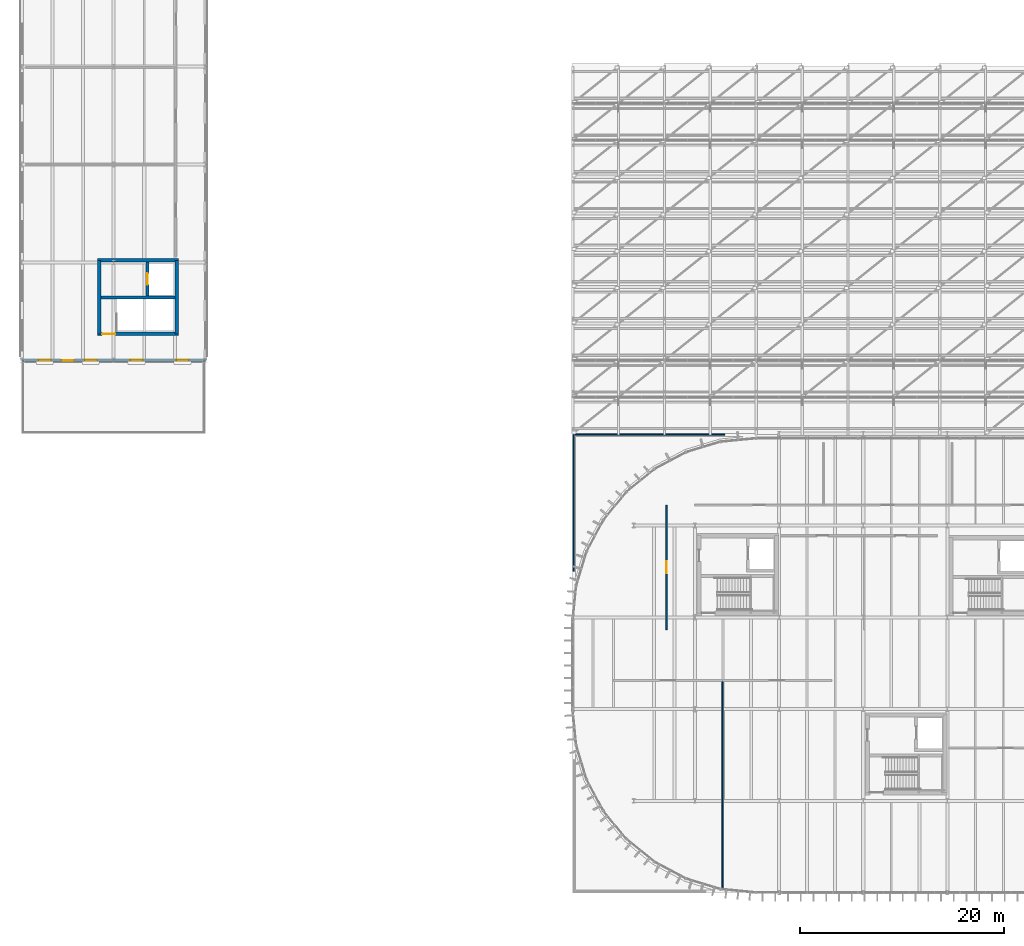
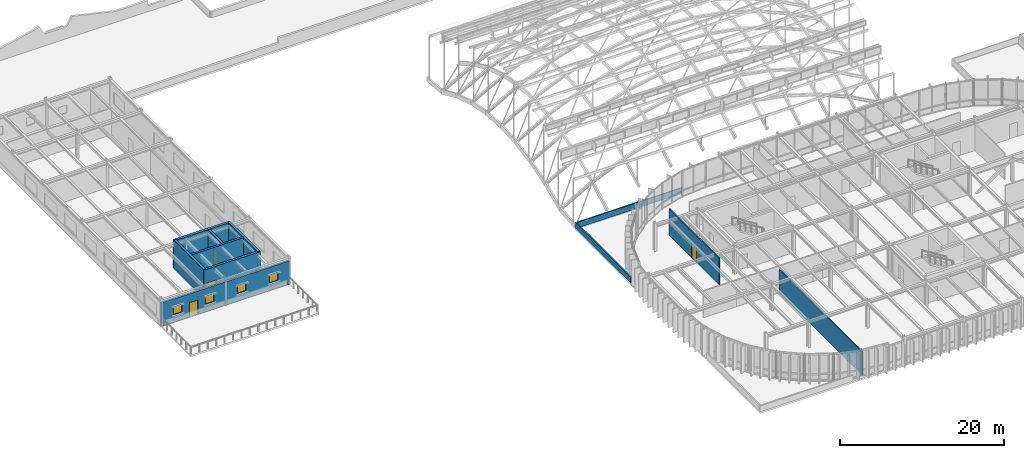
# One storey, part 52 of 69: 11 walls, 4 doors, 4 windows, 8 openings.
"""IFC4 building model written with IfcOpenShell, lengths in metres."""

import ifcopenshell
import ifcopenshell.guid

model = None  # the IFC model being written
_history = None  # IfcOwnerHistory: only IFC2X3 demands one
_inside = {}  # id of a spatial element -> (the spatial element, [elements in it])
_under = {}  # id of a project, library or spatial element -> (it, [spatial elements below it])
_declared = {}  # id of a project -> (the project, [libraries it declares])
_typed = {}  # id of a type object -> (the type object, [elements of that type])
_made_of = {}  # id of a material, layer set ... -> (it, [elements and type objects made of it])


def new_model(schema):
    """Start an empty IFC model of exactly this schema.

    Asked for "IFC4X3", IfcOpenShell would pick the latest addendum, in which some entities
    have other attributes; the version numbers below select the first issue.
    IFC2X3 requires an IfcOwnerHistory on every rooted entity: one is made here for all.
    """
    global model, _history
    if schema == "IFC4X3":
        model = ifcopenshell.file(schema_version=(4, 3, 0, 0))
    else:
        model = ifcopenshell.file(schema=schema)
    _inside.clear()
    _under.clear()
    _declared.clear()
    _typed.clear()
    _made_of.clear()
    _history = None
    if model.schema == "IFC2X3":
        org = make("IfcOrganization", Name="unknown")
        user = make(
            "IfcPersonAndOrganization",
            ThePerson=make("IfcPerson", FamilyName="unknown"),
            TheOrganization=org,
        )
        app = make(
            "IfcApplication",
            ApplicationDeveloper=org,
            Version="unknown",
            ApplicationFullName="unknown",
            ApplicationIdentifier="unknown",
        )
        _history = make(
            "IfcOwnerHistory",
            OwningUser=user,
            OwningApplication=app,
            ChangeAction="ADDED",
            CreationDate=0,
        )
    return model


def make(cls, **values):
    """One entity of the class cls with the attributes given. An attribute that is None is left unset."""
    return model.create_entity(
        cls, **{name: value for name, value in values.items() if value is not None}
    )


def rooted(cls, **values):
    """An entity with a GlobalId (a new one), such as an element, a storey or a relation."""
    return make(cls, GlobalId=ifcopenshell.guid.new(), OwnerHistory=_history, **values)


def si_unit(unit_type, name, prefix=None):
    """IfcSIUnit, for example si_unit("LENGTHUNIT", "METRE", prefix="MILLI")."""
    return make("IfcSIUnit", UnitType=unit_type, Prefix=prefix, Name=name)


def assignment(units):
    """IfcUnitAssignment: the units of a project."""
    return None if units is None else make("IfcUnitAssignment", Units=units)


def point(xyz):
    """IfcCartesianPoint."""
    return None if xyz is None else make("IfcCartesianPoint", Coordinates=xyz)


def direction(xyz):
    """IfcDirection."""
    return None if xyz is None else make("IfcDirection", DirectionRatios=xyz)


def frame(location, z_axis=None, x_axis=None):
    """IfcAxis2Placement3D, a coordinate frame: its origin and axes. An axis left out is left unset."""
    return make(
        "IfcAxis2Placement3D",
        Location=point(location),
        Axis=direction(z_axis),
        RefDirection=direction(x_axis),
    )


def frame_2d(location, x_axis=None):
    """IfcAxis2Placement2D, a coordinate frame in the plane: its origin and x axis."""
    return make(
        "IfcAxis2Placement2D", Location=point(location), RefDirection=direction(x_axis)
    )


def origin():
    """The frame at (0, 0, 0) with its axes left unset."""
    return frame((0.0, 0.0, 0.0))


def place(relative_to, where):
    """IfcLocalPlacement: puts the frame where relative to a parent placement (None: the world)."""
    return make(
        "IfcLocalPlacement", PlacementRelTo=relative_to, RelativePlacement=where
    )


def context(
    kind, dimensions, precision=None, world=None, true_north=None, identifier=None
):
    """IfcGeometricRepresentationContext, for example the 3D "Model" context."""
    return make(
        "IfcGeometricRepresentationContext",
        ContextIdentifier=identifier,
        ContextType=kind,
        CoordinateSpaceDimension=dimensions,
        Precision=precision,
        WorldCoordinateSystem=world,
        TrueNorth=true_north,
    )


def subcontext(parent, identifier, kind, view, scale=None):
    """IfcGeometricRepresentationSubContext, for example "Body" below "Model"."""
    return make(
        "IfcGeometricRepresentationSubContext",
        ContextIdentifier=identifier,
        ContextType=kind,
        ParentContext=parent,
        TargetScale=scale,
        TargetView=view,
    )


def project(units=None, contexts=None):
    """IfcProject with its units and contexts."""
    return rooted(
        "IfcProject",
        Name="project",
        RepresentationContexts=contexts,
        UnitsInContext=assignment(units),
    )


def spatial(cls, under=None, at=None, **own):
    """A site, building, storey or space (cls), placed at a placement, below another one or the project."""
    s = rooted(cls, ObjectPlacement=at, **own)
    if under is not None:
        _under.setdefault(under.id(), (under, []))[1].append(s)
    return s


def profile(cls, at=None, kind="AREA", **sizes):
    """A parametric profile (cls). Its sizes go by their IFC names, for example OverallWidth=200.0."""
    return make(cls, ProfileType=kind, Position=at, **sizes)


def rectangle(**sizes):
    """IfcRectangleProfileDef."""
    return profile("IfcRectangleProfileDef", **sizes)


def extrude(swept, where, along, depth):
    """IfcExtrudedAreaSolid: the profile swept, set in the frame where, extruded along a direction by depth."""
    return make(
        "IfcExtrudedAreaSolid",
        SweptArea=swept,
        Position=where,
        ExtrudedDirection=direction(along),
        Depth=depth,
    )


def shape(context_of_items, identifier, shape_type, items):
    """IfcShapeRepresentation: the items that make up one representation, for example the "Body"."""
    return make(
        "IfcShapeRepresentation",
        ContextOfItems=context_of_items,
        RepresentationIdentifier=identifier,
        RepresentationType=shape_type,
        Items=items,
    )


def material(Name=None, Category=None):
    """IfcMaterial."""
    return make("IfcMaterial", Name=Name, Category=Category)


def layer(
    of_material, thickness, ventilated=None, Name=None, Category=None, Priority=None
):
    """IfcMaterialLayer: one layer of a wall or slab, of a material (None: an air gap)."""
    return make(
        "IfcMaterialLayer",
        Material=of_material,
        LayerThickness=thickness,
        IsVentilated=ventilated,
        Name=Name,
        Category=Category,
        Priority=Priority,
    )


def layer_set(layers, Name=None):
    """IfcMaterialLayerSet."""
    return make("IfcMaterialLayerSet", MaterialLayers=layers, LayerSetName=Name)


def made_of(thing, what):
    """Note that an element or type object is made of a material, layer set ...; save() writes the relation."""
    if what is not None:
        _made_of.setdefault(what.id(), (what, []))[1].append(thing)
    return thing


def type_object(cls, material=None, **own):
    """A type object (cls), such as IfcWallType, which elements share."""
    return made_of(rooted(cls, **own), material)


def element(
    cls,
    number,
    at=None,
    inside=None,
    cuts=None,
    type_object=None,
    material=None,
    context=None,
    identifier="Body",
    shape_type=None,
    held_by="IfcProductDefinitionShape",
    body=None,
    shapes=None,
    **own,
):
    """One element of the class cls, such as IfcWall. Its Tag is "e" and its number.

    at: its placement. inside: the storey or other place that contains it. cuts: it is an
    opening in that element (IfcRelVoidsElement). A single representation is given by context,
    identifier, shape_type and body (its items); several are given by shapes. held_by: the class
    of the entity that holds the representations. save() writes the other relations.
    """
    e = rooted(cls, Tag="e%d" % number, ObjectPlacement=at, **own)
    if body is not None:
        shapes = [shape(context, identifier, shape_type, body)]
    if shapes is not None:
        e.Representation = make(held_by, Representations=shapes)
    if inside is not None:
        _inside.setdefault(inside.id(), (inside, []))[1].append(e)
    if cuts is not None:
        rooted(
            "IfcRelVoidsElement", RelatingBuildingElement=cuts, RelatedOpeningElement=e
        )
    if type_object is not None:
        _typed.setdefault(type_object.id(), (type_object, []))[1].append(e)
    return made_of(e, material)


def fill(opening, filler):
    """IfcRelFillsElement: the door or window that sits in an opening."""
    return rooted(
        "IfcRelFillsElement",
        RelatingOpeningElement=opening,
        RelatedBuildingElement=filler,
    )


def aggregate(whole, parts):
    """IfcRelAggregates: a whole, such as a stair, and the parts it consists of."""
    return rooted("IfcRelAggregates", RelatingObject=whole, RelatedObjects=parts)


def save(model, path):
    """Write the relations noted so far, then the file.

    IfcRelAggregates (storeys below a building ...), IfcRelContainedInSpatialStructure (elements
    in a storey), IfcRelDefinesByType, IfcRelAssociatesMaterial and IfcRelDeclares: one each for
    every whole, place, type object, material and project.
    """
    for whole, parts in _under.values():
        aggregate(whole, parts)
    for where, things in _inside.values():
        rooted(
            "IfcRelContainedInSpatialStructure",
            RelatedElements=things,
            RelatingStructure=where,
        )
    for kind, things in _typed.values():
        rooted("IfcRelDefinesByType", RelatedObjects=things, RelatingType=kind)
    for what, things in _made_of.values():
        rooted("IfcRelAssociatesMaterial", RelatedObjects=things, RelatingMaterial=what)
    for by, libraries in _declared.values():
        rooted("IfcRelDeclares", RelatingContext=by, RelatedDefinitions=libraries)
    model.write(path)


model = new_model("IFC4")

# Units and contexts
model_context = context("Model", 3, precision=1e-05, world=origin(), true_north=direction((0.0, 1.0)))
body_context = subcontext(model_context, "Body", "Model", "MODEL_VIEW")
ifc_project = project(units=[si_unit("LENGTHUNIT", "METRE"), si_unit("AREAUNIT", "SQUARE_METRE"), si_unit("VOLUMEUNIT", "CUBIC_METRE"), si_unit("PLANEANGLEUNIT", "RADIAN"), si_unit("MASSUNIT", "GRAM", prefix="KILO")], contexts=[model_context])

# Site, building, storey
site_placement = place(None, origin())
site = spatial("IfcSite", under=ifc_project, at=site_placement, CompositionType="ELEMENT")
building_placement = place(site_placement, origin())
building = spatial("IfcBuilding", under=site, at=building_placement, Name="Montealbar Specialist Clinic", CompositionType="ELEMENT")
storey_placement = place(building_placement, frame((0.0, 0.0, 9.60009765625)))
storey = spatial("IfcBuildingStorey", under=building, at=storey_placement, Name="L02", CompositionType="ELEMENT", Elevation=9.60009765625)

# Wall
ifc_material_1 = material(Name="Concrete C35/45", Category="concrete")
ifc_layer_1 = layer(ifc_material_1, 0.300048828125, Name="Concrete C35/45", Category="concrete")
ifc_layer_set_1 = layer_set([ifc_layer_1], Name="Concrete C35/45")
wall_type_1 = type_object("IfcWallType", Name="WL-CORE-300", PredefinedType="SHEAR", material=ifc_layer_set_1)
wall_1_placement = place(storey_placement, frame((7.77490234375, 58.35009765625, 0.0), z_axis=(0.0, 0.0, 1.0), x_axis=(1.0, 0.0, 0.0)))
element("IfcWall", 1, at=wall_1_placement, inside=storey, type_object=wall_type_1, Name="Core C1 Stairwell Wall L02", PredefinedType="SHEAR", context=body_context, shape_type="SweptSolid", body=[
    extrude(rectangle(XDim=7.25, YDim=0.300048828125, at=frame_2d((3.625, 0.0))), origin(), (0.0, 0.0, 1.0), 4.199951171875),
])

# Wall, opening, door
wall_2_placement = place(storey_placement, frame((12.300048828125, 58.5, 0.0), z_axis=(0.0, 0.0, 1.0), x_axis=(0.0, 1.0, 0.0)))
wall_2 = element("IfcWall", 2, at=wall_2_placement, inside=storey, type_object=wall_type_1, Name="Lift LF-01 Shaft Wall L02 LW", PredefinedType="SHEAR", context=body_context, shape_type="SweptSolid", body=[
    extrude(rectangle(XDim=3.324951171875, YDim=0.300048828125, at=frame_2d((1.66259765625, 0.0))), origin(), (0.0, 0.0, 1.0), 4.199951171875),
])
opening_1_placement = place(wall_2_placement, frame((1.113037109375, 0.0, 0.0)))
opening_1 = element("IfcOpeningElement", 3, at=opening_1_placement, cuts=wall_2, Name="Opening LD-11", PredefinedType="OPENING", context=body_context, shape_type="SweptSolid", body=[
    extrude(rectangle(XDim=1.10009765625, YDim=2.14990234375, at=frame_2d((0.550048828125, 1.074951171875))), frame((0.0, 0.159912109375, 0.0), z_axis=(0.0, -1.0, 0.0), x_axis=(1.0, 0.0, 0.0)), (0.0, 0.0, 1.0), 0.320068359375),
])
ifc_material_2 = material(Name="Steel S355", Category="steel")
door_type_1 = type_object("IfcDoorType", Name="DR-LIFT-LD1100", OperationType="DOUBLE_DOOR_SLIDING", PredefinedType="DOOR", material=ifc_material_2)
door_1_placement = place(opening_1_placement, origin())
door_1 = element("IfcDoor", 4, at=door_1_placement, inside=storey, type_object=door_type_1, Name="Lift LF-01 Sliding Landing Door L02", OperationType="DOUBLE_DOOR_SLIDING", OverallHeight=2.14990234375, OverallWidth=1.10009765625, PredefinedType="DOOR", context=body_context, shape_type="SweptSolid", body=[
    extrude(rectangle(XDim=1.10009765625, YDim=2.14990234375, at=frame_2d((0.550048828125, 1.074951171875))), frame((0.0, 0.02490234375, 0.0), z_axis=(0.0, -1.0, 0.0), x_axis=(1.0, 0.0, 0.0)), (0.0, 0.0, 1.0), 0.050048828125),
])
fill(opening_1, door_1)

ifc_layer_2 = layer(ifc_material_1, 0.35009765625, Name="Concrete C35/45", Category="concrete")
ifc_layer_set_2 = layer_set([ifc_layer_2], Name="Concrete C35/45")
wall_type_2 = type_object("IfcWallType", Name="WL-CORE-350", PredefinedType="SHEAR", material=ifc_layer_set_2)
wall_3_placement = place(storey_placement, frame((7.425048828125, 54.800048828125, 0.0), z_axis=(0.0, 0.0, 1.0), x_axis=(1.0, 0.0, 0.0)))
wall_3 = element("IfcWall", 5, at=wall_3_placement, inside=storey, type_object=wall_type_2, Name="Core C1 Shear Wall L02 S", PredefinedType="SHEAR", context=body_context, shape_type="SweptSolid", body=[
    extrude(rectangle(XDim=7.949951171875, YDim=0.35009765625, at=frame_2d((3.97509765625, 0.0))), origin(), (0.0, 0.0, 1.0), 4.199951171875),
])
opening_2_placement = place(wall_3_placement, frame((0.449951171875, 0.0, 0.0)))
opening_2 = element("IfcOpeningElement", 6, at=opening_2_placement, cuts=wall_3, Name="Opening SD-13", PredefinedType="OPENING", context=body_context, shape_type="SweptSolid", body=[
    extrude(rectangle(XDim=1.300048828125, YDim=2.14990234375, at=frame_2d((0.64990234375, 1.074951171875))), frame((0.0, 0.18505859375, 0.0), z_axis=(0.0, -1.0, 0.0), x_axis=(1.0, 0.0, 0.0)), (0.0, 0.0, 1.0), 0.3701171875),
])
door_type_2 = type_object("IfcDoorType", Name="DR-STAIR-W1300", OperationType="NOTDEFINED", PredefinedType="DOOR", material=ifc_material_2)
door_2_placement = place(opening_2_placement, frame((1.300048828125, 0.0, 0.0), z_axis=(0.0, 0.0, 1.0), x_axis=(-1.0, 0.0, 0.0)))
door_2 = element("IfcDoor", 7, at=door_2_placement, inside=storey, type_object=door_type_2, Name="Protected Core C1 Stair Fire Door L02", OperationType="SINGLE_SWING_RIGHT", OverallHeight=2.14990234375, OverallWidth=1.300048828125, PredefinedType="DOOR", context=body_context, shape_type="SweptSolid", body=[
    extrude(rectangle(XDim=1.300048828125, YDim=2.14990234375, at=frame_2d((0.64990234375, 1.074951171875))), frame((0.0, 0.02490234375, 0.0), z_axis=(0.0, -1.0, 0.0), x_axis=(1.0, 0.0, 0.0)), (0.0, 0.0, 1.0), 0.050048828125),
])
fill(opening_2, door_2)

# Walls
wall_4_placement = place(storey_placement, frame((7.425048828125, 62.0, 0.0), z_axis=(0.0, 0.0, 1.0), x_axis=(1.0, 0.0, 0.0)))
element("IfcWall", 8, at=wall_4_placement, inside=storey, type_object=wall_type_2, Name="Core C1 Shear Wall L02 N", PredefinedType="SHEAR", context=body_context, shape_type="SweptSolid", body=[
    extrude(rectangle(XDim=7.949951171875, YDim=0.35009765625, at=frame_2d((3.97509765625, 0.0))), origin(), (0.0, 0.0, 1.0), 4.199951171875),
])
for number, where, z_axis, x_axis, name in (
    (9, (7.60009765625, 54.800048828125, 0.0), (0.0, 0.0, 1.0), (0.0, 1.0, 0.0), "Core C1 Shear Wall L02 W"),
    (10, (15.199951171875, 54.800048828125, 0.0), (0.0, 0.0, 1.0), (0.0, 1.0, 0.0), "Core C1 Shear Wall L02 E"),
):
    element("IfcWall", number, at=place(storey_placement, frame(where, z_axis=z_axis, x_axis=x_axis)), inside=storey, type_object=wall_type_2, Name=name, PredefinedType="SHEAR", context=body_context, shape_type="SweptSolid", body=[
        extrude(rectangle(XDim=7.199951171875, YDim=0.35009765625, at=frame_2d((3.60009765625, 0.0))), origin(), (0.0, 0.0, 1.0), 4.199951171875),
    ])

# Wall, openings, door, windows
ifc_material_3 = material(Name="Precast concrete C40/50", Category="concrete")
ifc_layer_3 = layer(ifc_material_3, 0.280029296875, Name="Precast concrete C40/50", Category="concrete")
ifc_layer_set_3 = layer_set([ifc_layer_3], Name="Precast concrete C40/50")
wall_type_3 = type_object("IfcWallType", Name="WL-EXT-PRECAST-280", PredefinedType="SOLIDWALL", material=ifc_layer_set_3)
wall_5_placement = place(storey_placement, frame((18.0, 52.199951171875, 0.0), z_axis=(0.0, 0.0, 1.0), x_axis=(-1.0, 0.0, 0.0)))
wall_5 = element("IfcWall", 11, at=wall_5_placement, inside=storey, type_object=wall_type_3, Name="Exterior Facade Wall EW-L02-057", PredefinedType="SOLIDWALL", context=body_context, shape_type="SweptSolid", body=[
    extrude(rectangle(XDim=18.0, YDim=0.280029296875, at=frame_2d((9.0, 0.0))), origin(), (0.0, 0.0, 1.0), 3.47998046875),
])
opening_3_placement = place(wall_5_placement, frame((12.925048828125, 0.0, 0.0)))
opening_3 = element("IfcOpeningElement", 12, at=opening_3_placement, cuts=wall_5, Name="Opening TD-11", PredefinedType="OPENING", context=body_context, shape_type="SweptSolid", body=[
    extrude(rectangle(XDim=1.14990234375, YDim=2.14990234375, at=frame_2d((0.574951171875, 1.074951171875))), frame((0.0, 0.14990234375, 0.0), z_axis=(0.0, -1.0, 0.0), x_axis=(1.0, 0.0, 0.0)), (0.0, 0.0, 1.0), 0.300048828125),
])
opening_4_placement = place(wall_5_placement, frame((1.64990234375, 0.0, 1.139892578125)))
opening_4 = element("IfcOpeningElement", 13, at=opening_4_placement, cuts=wall_5, Name="Opening WN-18", PredefinedType="OPENING", context=body_context, shape_type="SweptSolid", body=[
    extrude(rectangle(XDim=1.199951171875, YDim=1.199951171875, at=frame_2d((0.60009765625, 0.60009765625))), frame((0.0, 0.14990234375, 0.0), z_axis=(0.0, -1.0, 0.0), x_axis=(1.0, 0.0, 0.0)), (0.0, 0.0, 1.0), 0.300048828125),
])
opening_5_placement = place(wall_5_placement, frame((6.14990234375, 0.0, 1.139892578125)))
opening_5 = element("IfcOpeningElement", 14, at=opening_5_placement, cuts=wall_5, Name="Opening WN-18", PredefinedType="OPENING", context=body_context, shape_type="SweptSolid", body=[
    extrude(rectangle(XDim=1.199951171875, YDim=1.199951171875, at=frame_2d((0.60009765625, 0.60009765625))), frame((0.0, 0.14990234375, 0.0), z_axis=(0.0, -1.0, 0.0), x_axis=(1.0, 0.0, 0.0)), (0.0, 0.0, 1.0), 0.300048828125),
])
opening_6_placement = place(wall_5_placement, frame((10.64990234375, 0.0, 1.139892578125)))
opening_6 = element("IfcOpeningElement", 15, at=opening_6_placement, cuts=wall_5, Name="Opening WN-18", PredefinedType="OPENING", context=body_context, shape_type="SweptSolid", body=[
    extrude(rectangle(XDim=1.199951171875, YDim=1.199951171875, at=frame_2d((0.60009765625, 0.60009765625))), frame((0.0, 0.14990234375, 0.0), z_axis=(0.0, -1.0, 0.0), x_axis=(1.0, 0.0, 0.0)), (0.0, 0.0, 1.0), 0.300048828125),
])
opening_7_placement = place(wall_5_placement, frame((15.14990234375, 0.0, 1.139892578125)))
opening_7 = element("IfcOpeningElement", 16, at=opening_7_placement, cuts=wall_5, Name="Opening WN-18", PredefinedType="OPENING", context=body_context, shape_type="SweptSolid", body=[
    extrude(rectangle(XDim=1.199951171875, YDim=1.199951171875, at=frame_2d((0.60009765625, 0.60009765625))), frame((0.0, 0.14990234375, 0.0), z_axis=(0.0, -1.0, 0.0), x_axis=(1.0, 0.0, 0.0)), (0.0, 0.0, 1.0), 0.300048828125),
])
ifc_material_4 = material(Name="Powder-coated aluminium", Category="aluminium")
door_type_3 = type_object("IfcDoorType", Name="DR-TERR-W1150", OperationType="NOTDEFINED", PredefinedType="DOOR", material=ifc_material_4)
door_3_placement = place(opening_3_placement, origin())
door_3 = element("IfcDoor", 17, at=door_3_placement, inside=storey, type_object=door_type_3, Name="West Setback Terrace Door L02", OperationType="SINGLE_SWING_LEFT", OverallHeight=2.14990234375, OverallWidth=1.14990234375, PredefinedType="DOOR", context=body_context, shape_type="SweptSolid", body=[
    extrude(rectangle(XDim=1.14990234375, YDim=2.14990234375, at=frame_2d((0.574951171875, 1.074951171875))), frame((0.0, 0.02490234375, 0.0), z_axis=(0.0, -1.0, 0.0), x_axis=(1.0, 0.0, 0.0)), (0.0, 0.0, 1.0), 0.050048828125),
])
fill(opening_3, door_3)
ifc_material_5 = material(Name="Low-E double glazing", Category="glass")
window_type = type_object("IfcWindowType", Name="WIN-WN-18", PartitioningType="SINGLE_PANEL", PredefinedType="WINDOW", material=ifc_material_5)
window_1_placement = place(opening_4_placement, origin())
window_1 = element("IfcWindow", 18, at=window_1_placement, inside=storey, type_object=window_type, Name="Clinical Facade Postmodern Oculus Window WN-18 L02-0209", OverallHeight=1.199951171875, OverallWidth=1.199951171875, PartitioningType="SINGLE_PANEL", PredefinedType="WINDOW", context=body_context, shape_type="SweptSolid", body=[
    extrude(rectangle(XDim=1.199951171875, YDim=1.199951171875, at=frame_2d((0.60009765625, 0.60009765625))), frame((0.0, 0.030029296875, 0.0), z_axis=(0.0, -1.0, 0.0), x_axis=(1.0, 0.0, 0.0)), (0.0, 0.0, 1.0), 0.06005859375),
])
fill(opening_4, window_1)
window_2_placement = place(opening_5_placement, origin())
window_2 = element("IfcWindow", 19, at=window_2_placement, inside=storey, type_object=window_type, Name="Clinical Facade Postmodern Oculus Window WN-18 L02-0210", OverallHeight=1.199951171875, OverallWidth=1.199951171875, PartitioningType="SINGLE_PANEL", PredefinedType="WINDOW", context=body_context, shape_type="SweptSolid", body=[
    extrude(rectangle(XDim=1.199951171875, YDim=1.199951171875, at=frame_2d((0.60009765625, 0.60009765625))), frame((0.0, 0.030029296875, 0.0), z_axis=(0.0, -1.0, 0.0), x_axis=(1.0, 0.0, 0.0)), (0.0, 0.0, 1.0), 0.06005859375),
])
fill(opening_5, window_2)
window_3_placement = place(opening_6_placement, origin())
window_3 = element("IfcWindow", 20, at=window_3_placement, inside=storey, type_object=window_type, Name="Clinical Facade Postmodern Oculus Window WN-18 L02-0211", OverallHeight=1.199951171875, OverallWidth=1.199951171875, PartitioningType="SINGLE_PANEL", PredefinedType="WINDOW", context=body_context, shape_type="SweptSolid", body=[
    extrude(rectangle(XDim=1.199951171875, YDim=1.199951171875, at=frame_2d((0.60009765625, 0.60009765625))), frame((0.0, 0.030029296875, 0.0), z_axis=(0.0, -1.0, 0.0), x_axis=(1.0, 0.0, 0.0)), (0.0, 0.0, 1.0), 0.06005859375),
])
fill(opening_6, window_3)
window_4_placement = place(opening_7_placement, origin())
window_4 = element("IfcWindow", 21, at=window_4_placement, inside=storey, type_object=window_type, Name="Clinical Facade Postmodern Oculus Window WN-18 L02-0212", OverallHeight=1.199951171875, OverallWidth=1.199951171875, PartitioningType="SINGLE_PANEL", PredefinedType="WINDOW", context=body_context, shape_type="SweptSolid", body=[
    extrude(rectangle(XDim=1.199951171875, YDim=1.199951171875, at=frame_2d((0.60009765625, 0.60009765625))), frame((0.0, 0.030029296875, 0.0), z_axis=(0.0, -1.0, 0.0), x_axis=(1.0, 0.0, 0.0)), (0.0, 0.0, 1.0), 0.06005859375),
])
fill(opening_7, window_4)

# Walls
ifc_material_6 = material(Name="Guadarrama granite ashlar", Category="masonry")
ifc_layer_4 = layer(ifc_material_6, 0.159912109375, Name="Guadarrama granite ashlar", Category="masonry")
ifc_layer_set_4 = layer_set([ifc_layer_4], Name="Guadarrama granite ashlar")
wall_type_4 = type_object("IfcWallType", Name="WL-PARAPET-160", PredefinedType="PARAPET", material=ifc_layer_set_4)
wall_6_placement = place(storey_placement, frame((54.080078125, 31.5048828125, 0.0), z_axis=(0.0, 0.0, 1.0), x_axis=(0.0, 1.0, 0.0)))
element("IfcWall", 22, at=wall_6_placement, inside=storey, type_object=wall_type_4, Name="Roof Parapet L02-030", PredefinedType="PARAPET", context=body_context, shape_type="SweptSolid", body=[
    extrude(rectangle(XDim=13.4951171875, YDim=0.159912109375, at=frame_2d((6.74755859375, 0.0))), origin(), (0.0, 0.0, 1.0), 0.849853515625),
])
wall_7_placement = place(storey_placement, frame((54.2548828125, 44.919921875, 0.0), z_axis=(0.0, 0.0, 1.0), x_axis=(1.0, 0.0, 0.0)))
element("IfcWall", 23, at=wall_7_placement, inside=storey, type_object=wall_type_4, Name="Roof Parapet L02-031", PredefinedType="PARAPET", context=body_context, shape_type="SweptSolid", body=[
    extrude(rectangle(XDim=14.6630859375, YDim=0.159912109375, at=frame_2d((7.33154296875, 0.0))), origin(), (0.0, 0.0, 1.0), 0.849853515625),
])
ifc_material_7 = material(Name="Gypsum acoustic partition", Category="gypsum")
ifc_layer_5 = layer(ifc_material_7, 0.139892578125, Name="Gypsum acoustic partition", Category="gypsum")
ifc_layer_set_5 = layer_set([ifc_layer_5], Name="Gypsum acoustic partition")
wall_type_5 = type_object("IfcWallType", Name="WL-PART-ACOUSTIC-140", PredefinedType="PARTITIONING", material=ifc_layer_set_5)
wall_8_placement = place(storey_placement, frame((68.699951171875, 0.466064453125, 0.0), z_axis=(0.0, 0.0, 1.0), x_axis=(0.0, 1.0, 0.0)))
element("IfcWall", 24, at=wall_8_placement, inside=storey, type_object=wall_type_5, Name="Clinical Partition PART-L02-0136", PredefinedType="PARTITIONING", context=body_context, shape_type="SweptSolid", body=[
    extrude(rectangle(XDim=20.333984375, YDim=0.139892578125, at=frame_2d((10.1669921875, 0.0))), origin(), (0.0, 0.0, 1.0), 3.43994140625),
])

# Wall, opening, door
ifc_layer_6 = layer(ifc_material_7, 0.159912109375, Name="Gypsum acoustic partition", Category="gypsum")
ifc_layer_set_6 = layer_set([ifc_layer_6], Name="Gypsum acoustic partition")
wall_type_6 = type_object("IfcWallType", Name="WL-PART-CLINIC-160", PredefinedType="PARTITIONING", material=ifc_layer_set_6)
wall_9_placement = place(storey_placement, frame((63.199951171875, 25.800048828125, 0.0), z_axis=(0.0, 0.0, 1.0), x_axis=(0.0, 1.0, 0.0)))
wall_9 = element("IfcWall", 25, at=wall_9_placement, inside=storey, type_object=wall_type_6, Name="Clinical Partition PART-L02-0256", PredefinedType="PARTITIONING", context=body_context, shape_type="SweptSolid", body=[
    extrude(rectangle(XDim=12.199951171875, YDim=0.159912109375, at=frame_2d((6.10009765625, 0.0))), origin(), (0.0, 0.0, 1.0), 3.929931640625),
])
opening_8_placement = place(wall_9_placement, frame((5.5, 0.0, 0.0)))
opening_8 = element("IfcOpeningElement", 26, at=opening_8_placement, cuts=wall_9, Name="Opening ID-120", PredefinedType="OPENING", context=body_context, shape_type="SweptSolid", body=[
    extrude(rectangle(XDim=1.199951171875, YDim=2.199951171875, at=frame_2d((0.60009765625, 1.10009765625))), frame((0.0, 0.08984375, 0.0), z_axis=(0.0, -1.0, 0.0), x_axis=(1.0, 0.0, 0.0)), (0.0, 0.0, 1.0), 0.179931640625),
])
ifc_material_8 = material(Name="Acoustic timber leaf", Category="wood")
door_type_4 = type_object("IfcDoorType", Name="DR-CLIN-W1200", OperationType="NOTDEFINED", PredefinedType="DOOR", material=ifc_material_8)
door_4_placement = place(opening_8_placement, frame((1.199951171875, 0.0, 0.0), z_axis=(0.0, 0.0, 1.0), x_axis=(-1.0, 0.0, 0.0)))
door_4 = element("IfcDoor", 27, at=door_4_placement, inside=storey, type_object=door_type_4, Name="Clinical Room Door IDR-L02-0165", OperationType="SINGLE_SWING_LEFT", OverallHeight=2.199951171875, OverallWidth=1.199951171875, PredefinedType="DOOR", context=body_context, shape_type="SweptSolid", body=[
    extrude(rectangle(XDim=1.199951171875, YDim=2.199951171875, at=frame_2d((0.60009765625, 1.10009765625))), frame((0.0, 0.02490234375, 0.0), z_axis=(0.0, -1.0, 0.0), x_axis=(1.0, 0.0, 0.0)), (0.0, 0.0, 1.0), 0.050048828125),
])
fill(opening_8, door_4)

save(model, "model.ifc")
